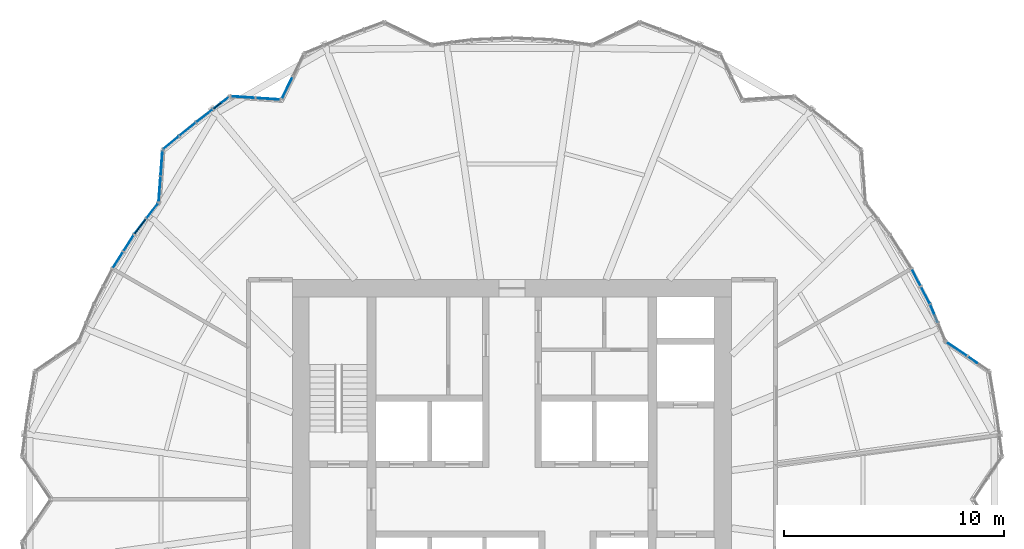
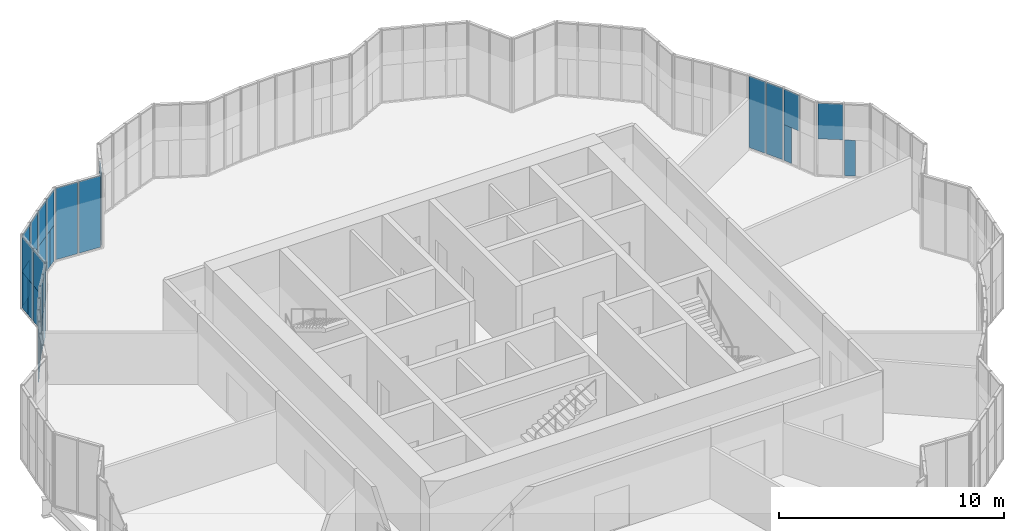
# One storey, part 17 of 22: 30 plates, 10 elements without a shape of their own.
"""IFC4 building model written with IfcOpenShell, lengths in metres."""

from ifc_helpers import new_model, si_unit, direction, frame, origin, origin_2d, place, context, subcontext, project, spatial, rectangle, extrude, material, layer, layer_set, type_object, element, aggregate, save


model = new_model("IFC4")

# Units and contexts
model_context = context("Model", 3, precision=1e-05, world=origin(), true_north=direction((0.0, 1.0)))
body_context = subcontext(model_context, "Body", "Model", "MODEL_VIEW")
ifc_project = project(units=[si_unit("LENGTHUNIT", "METRE"), si_unit("AREAUNIT", "SQUARE_METRE"), si_unit("VOLUMEUNIT", "CUBIC_METRE"), si_unit("PLANEANGLEUNIT", "RADIAN"), si_unit("MASSUNIT", "GRAM", prefix="KILO")], contexts=[model_context])

# Site, building, storey
site_placement = place(None, origin())
site = spatial("IfcSite", under=ifc_project, at=site_placement, CompositionType="ELEMENT")
building_placement = place(site_placement, origin())
building = spatial("IfcBuilding", under=site, at=building_placement, Name="Golbaran Civic Tower", CompositionType="ELEMENT")
storey_placement = place(building_placement, frame((0.0, 0.0, 29.0)))
storey = spatial("IfcBuildingStorey", under=building, at=storey_placement, Name="L06", CompositionType="ELEMENT", Elevation=29.0)

# Curtain wall, plates
ifc_material_1 = material(Name="Aluminium and glass", Category="aluminium")
curtain_wall_type = type_object("IfcCurtainWallType", Name="INNER SKIN CURTAIN WALL", PredefinedType="NOTDEFINED", material=ifc_material_1)
curtain_wall_1_placement = place(storey_placement, origin())
curtain_wall_1 = element("IfcCurtainWall", 1, at=curtain_wall_1_placement, inside=storey, type_object=curtain_wall_type, Name="Inner skin L06 facet 5 CW1", ObjectType="INNER SKIN", PredefinedType="USERDEFINED")
ifc_material_2 = material(Name="Clear insulating glass", Category="glass")
ifc_layer_1 = layer(ifc_material_2, 0.031982421875, Name="Clear insulating glass")
ifc_layer_set_1 = layer_set([ifc_layer_1], Name="Clear insulating glass")
plate_type_1 = type_object("IfcPlateType", Name="INNER SKIN CURTAIN WALL GLAZED PANEL", PredefinedType="CURTAIN_PANEL", material=ifc_layer_set_1)
plate_1_placement = place(storey_placement, frame((19.130126953125, 8.652099609375, 0.06494140625), z_axis=(0.0, 0.0, 1.0), x_axis=(-0.382683432462, 0.923879532471, 0.0)))
plate_1 = element("IfcPlate", 2, at=plate_1_placement, type_object=plate_type_1, Name="CW1 panel 2.1 part 2", PredefinedType="CURTAIN_PANEL", context=body_context, shape_type="SweptSolid", body=[
    extrude(rectangle(XDim=0.422119140625, YDim=0.031982421875, at=origin_2d()), origin(), (0.0, 0.0, 1.0), 1.93505859375),
])
plate_2_placement = place(storey_placement, frame((19.21240234375, 8.453857421875, 2.0), z_axis=(0.0, 0.0, 1.0), x_axis=(-0.382683432462, 0.923879532471, 0.0)))
plate_2 = element("IfcPlate", 3, at=plate_2_placement, type_object=plate_type_1, Name="CW1 panel 2.1 part 3", PredefinedType="CURTAIN_PANEL", context=body_context, shape_type="SweptSolid", body=[
    extrude(rectangle(XDim=0.851318359375, YDim=0.031982421875, at=origin_2d()), origin(), (0.0, 0.0, 1.0), 1.93505859375),
])
aggregate(curtain_wall_1, [plate_1, plate_2])

curtain_wall_2_placement = place(storey_placement, origin())
curtain_wall_2 = element("IfcCurtainWall", 4, at=curtain_wall_2_placement, inside=storey, type_object=curtain_wall_type, Name="Inner skin L06 facet 6 CW1", ObjectType="INNER SKIN", PredefinedType="USERDEFINED")
plate_3_placement = place(storey_placement, frame((18.825439453125, 9.283447265625, 0.06494140625), z_axis=(0.0, 0.0, 1.0), x_axis=(-0.461748613607, 0.887010832985, 0.0)))
plate_3 = element("IfcPlate", 5, at=plate_3_placement, type_object=plate_type_1, Name="CW1 panel 1.1", PredefinedType="CURTAIN_PANEL", context=body_context, shape_type="SweptSolid", body=[
    extrude(rectangle(XDim=0.851318359375, YDim=0.031982421875, at=origin_2d()), origin(), (0.0, 0.0, 1.0), 3.8701171875),
])
plate_4_placement = place(storey_placement, frame((18.40234375, 10.09619140625, 0.06494140625), z_axis=(0.0, 0.0, 1.0), x_axis=(-0.461748613607, 0.887010832985, 0.0)))
plate_4 = element("IfcPlate", 6, at=plate_4_placement, type_object=plate_type_1, Name="CW1 panel 2.1", PredefinedType="CURTAIN_PANEL", context=body_context, shape_type="SweptSolid", body=[
    extrude(rectangle(XDim=0.851318359375, YDim=0.031982421875, at=origin_2d()), origin(), (0.0, 0.0, 1.0), 3.8701171875),
])
aggregate(curtain_wall_2, [plate_3, plate_4])

# Curtain wall, plate
curtain_wall_3_placement = place(storey_placement, origin())
curtain_wall_3 = element("IfcCurtainWall", 7, at=curtain_wall_3_placement, inside=storey, type_object=curtain_wall_type, Name="Inner skin L06 facet 24 CW1", ObjectType="INNER SKIN", PredefinedType="USERDEFINED")
plate_5_placement = place(storey_placement, frame((-10.236083984375, 18.732666015625, 0.06494140625), z_axis=(0.0, 0.0, 1.0), x_axis=(-0.441206843893, -0.897405438418, 0.0)))
plate_5 = element("IfcPlate", 8, at=plate_5_placement, type_object=plate_type_1, Name="CW1 panel 2.1", PredefinedType="CURTAIN_PANEL", context=body_context, shape_type="SweptSolid", body=[
    extrude(rectangle(XDim=1.077392578125, YDim=0.031982421875, at=origin_2d()), origin(), (0.0, 0.0, 1.0), 3.8701171875),
])
aggregate(curtain_wall_3, [plate_5])

# Curtain wall, plates
curtain_wall_4_placement = place(storey_placement, origin())
curtain_wall_4 = element("IfcCurtainWall", 9, at=curtain_wall_4_placement, inside=storey, type_object=curtain_wall_type, Name="Inner skin L06 facet 25 CW1", ObjectType="INNER SKIN", PredefinedType="USERDEFINED")
plate_6_placement = place(storey_placement, frame((-11.104736328125, 18.23095703125, 0.06494140625), z_axis=(0.0, 0.0, 1.0), x_axis=(-0.99777932909, 0.066606384387, 0.0)))
plate_6 = element("IfcPlate", 10, at=plate_6_placement, type_object=plate_type_1, Name="CW1 panel 1.1", PredefinedType="CURTAIN_PANEL", context=body_context, shape_type="SweptSolid", body=[
    extrude(rectangle(XDim=1.077392578125, YDim=0.031982421875, at=origin_2d()), origin(), (0.0, 0.0, 1.0), 3.8701171875),
])
plate_7_placement = place(storey_placement, frame((-12.24462890625, 18.30712890625, 0.06494140625), z_axis=(0.0, 0.0, 1.0), x_axis=(-0.99777932909, 0.066606384387, 0.0)))
plate_7 = element("IfcPlate", 11, at=plate_7_placement, type_object=plate_type_1, Name="CW1 panel 2.1", PredefinedType="CURTAIN_PANEL", context=body_context, shape_type="SweptSolid", body=[
    extrude(rectangle(XDim=1.077392578125, YDim=0.031982421875, at=origin_2d()), origin(), (0.0, 0.0, 1.0), 3.8701171875),
])
aggregate(curtain_wall_4, [plate_6, plate_7])

curtain_wall_5_placement = place(storey_placement, origin())
curtain_wall_5 = element("IfcCurtainWall", 12, at=curtain_wall_5_placement, inside=storey, type_object=curtain_wall_type, Name="Inner skin L06 facet 26 CW1", ObjectType="INNER SKIN", PredefinedType="USERDEFINED")
plate_8_placement = place(storey_placement, frame((-13.074951171875, 18.17236328125, 0.06494140625), z_axis=(0.0, 0.0, 1.0), x_axis=(-0.793353340408, -0.608761428856, 0.0)))
plate_8 = element("IfcPlate", 13, at=plate_8_placement, type_object=plate_type_1, Name="CW1 panel 1.1 part 1", PredefinedType="CURTAIN_PANEL", context=body_context, shape_type="SweptSolid", body=[
    extrude(rectangle(XDim=0.445068359375, YDim=0.031982421875, at=origin_2d()), origin(), (0.0, 0.0, 1.0), 1.93505859375),
])
plate_9_placement = place(storey_placement, frame((-13.247314453125, 18.0400390625, 2.0), z_axis=(0.0, 0.0, 1.0), x_axis=(-0.793353340408, -0.608761428856, 0.0)))
plate_9 = element("IfcPlate", 14, at=plate_9_placement, type_object=plate_type_1, Name="CW1 panel 1.1 part 3", PredefinedType="CURTAIN_PANEL", context=body_context, shape_type="SweptSolid", body=[
    extrude(rectangle(XDim=0.87939453125, YDim=0.031982421875, at=origin_2d()), origin(), (0.0, 0.0, 1.0), 1.93505859375),
])

# Curtain wall, plate
curtain_wall_6_placement = place(storey_placement, origin())
curtain_wall_6 = element("IfcCurtainWall", 15, at=curtain_wall_6_placement, inside=storey, type_object=curtain_wall_type, Name="Inner skin L06 facet 27 CW1", ObjectType="INNER SKIN", PredefinedType="USERDEFINED")
plate_10_placement = place(storey_placement, frame((-15.520263671875, 16.2333984375, 0.06494140625), z_axis=(0.0, 0.0, 1.0), x_axis=(-0.772032452954, -0.63558311147, 0.0)))
plate_10 = element("IfcPlate", 16, at=plate_10_placement, type_object=plate_type_1, Name="CW1 panel 2.1 part 1", PredefinedType="CURTAIN_PANEL", context=body_context, shape_type="SweptSolid", body=[
    extrude(rectangle(XDim=0.883056640625, YDim=0.031982421875, at=origin_2d()), origin(), (0.0, 0.0, 1.0), 1.93505859375),
])

curtain_wall_7_placement = place(storey_placement, origin())
curtain_wall_7 = element("IfcCurtainWall", 17, at=curtain_wall_7_placement, inside=storey, type_object=curtain_wall_type, Name="Inner skin L06 facet 28 CW1", ObjectType="INNER SKIN", PredefinedType="USERDEFINED")
plate_11_placement = place(storey_placement, frame((-15.93896484375, 15.540283203125, 0.06494140625), z_axis=(0.0, 0.0, 1.0), x_axis=(-0.074267065092, -0.997238388272, 0.0)))
plate_11 = element("IfcPlate", 18, at=plate_11_placement, type_object=plate_type_1, Name="CW1 panel 1.1 part 1", PredefinedType="CURTAIN_PANEL", context=body_context, shape_type="SweptSolid", body=[
    extrude(rectangle(XDim=0.614013671875, YDim=0.031982421875, at=origin_2d()), origin(), (0.0, 0.0, 1.0), 1.93505859375),
])

# Curtain wall, plates
curtain_wall_8_placement = place(storey_placement, origin())
curtain_wall_8 = element("IfcCurtainWall", 19, at=curtain_wall_8_placement, inside=storey, type_object=curtain_wall_type, Name="Inner skin L06 facet 29 CW1", ObjectType="INNER SKIN", PredefinedType="USERDEFINED")
plate_12_placement = place(storey_placement, frame((-17.05810546875, 12.2412109375, 0.06494140625), z_axis=(0.0, 0.0, 1.0), x_axis=(-0.60876142905, -0.793353340259, 0.0)))
plate_12 = element("IfcPlate", 20, at=plate_12_placement, type_object=plate_type_1, Name="CW1 panel 2.1 part 2", PredefinedType="CURTAIN_PANEL", context=body_context, shape_type="SweptSolid", body=[
    extrude(rectangle(XDim=0.422119140625, YDim=0.031982421875, at=origin_2d()), origin(), (0.0, 0.0, 1.0), 1.93505859375),
])
plate_13_placement = place(storey_placement, frame((-16.927490234375, 12.411376953125, 2.0), z_axis=(0.0, 0.0, 1.0), x_axis=(-0.60876142905, -0.793353340259, 0.0)))
plate_13 = element("IfcPlate", 21, at=plate_13_placement, type_object=plate_type_1, Name="CW1 panel 2.1 part 3", PredefinedType="CURTAIN_PANEL", context=body_context, shape_type="SweptSolid", body=[
    extrude(rectangle(XDim=0.851318359375, YDim=0.031982421875, at=origin_2d()), origin(), (0.0, 0.0, 1.0), 1.93505859375),
])

curtain_wall_9_placement = place(storey_placement, origin())
curtain_wall_9 = element("IfcCurtainWall", 22, at=curtain_wall_9_placement, inside=storey, type_object=curtain_wall_type, Name="Inner skin L06 facet 30 CW1", ObjectType="INNER SKIN", PredefinedType="USERDEFINED")
plate_14_placement = place(storey_placement, frame((-17.452392578125, 11.66162109375, 0.06494140625), z_axis=(0.0, 0.0, 1.0), x_axis=(-0.537299608155, -0.843391445935, 0.0)))
plate_14 = element("IfcPlate", 23, at=plate_14_placement, type_object=plate_type_1, Name="CW1 panel 1.1", PredefinedType="CURTAIN_PANEL", context=body_context, shape_type="SweptSolid", body=[
    extrude(rectangle(XDim=0.851318359375, YDim=0.031982421875, at=origin_2d()), origin(), (0.0, 0.0, 1.0), 3.8701171875),
])
plate_15_placement = place(storey_placement, frame((-17.94482421875, 10.888916015625, 0.06494140625), z_axis=(0.0, 0.0, 1.0), x_axis=(-0.537299608155, -0.843391445935, 0.0)))
plate_15 = element("IfcPlate", 24, at=plate_15_placement, type_object=plate_type_1, Name="CW1 panel 2.1", PredefinedType="CURTAIN_PANEL", context=body_context, shape_type="SweptSolid", body=[
    extrude(rectangle(XDim=0.851318359375, YDim=0.031982421875, at=origin_2d()), origin(), (0.0, 0.0, 1.0), 3.8701171875),
])
aggregate(curtain_wall_9, [plate_14, plate_15])

curtain_wall_10_placement = place(storey_placement, origin())
curtain_wall_10 = element("IfcCurtainWall", 25, at=curtain_wall_10_placement, inside=storey, type_object=curtain_wall_type, Name="Inner skin L06 facet 4 CW1", ObjectType="INNER SKIN", PredefinedType="USERDEFINED")
ifc_material_3 = material(Name="Aluminium faced opaque infill panel", Category="aluminium")
ifc_layer_2 = layer(ifc_material_3, 0.031982421875, Name="Aluminium faced opaque infill panel")
ifc_layer_set_2 = layer_set([ifc_layer_2], Name="Aluminium faced opaque infill panel")
plate_type_2 = type_object("IfcPlateType", Name="INNER SKIN CURTAIN WALL OPAQUE INFILL PANEL", PredefinedType="CURTAIN_PANEL", material=ifc_layer_set_2)
plate_16_placement = place(storey_placement, frame((20.96875, 6.345947265625, 0.06494140625), z_axis=(0.0, 0.0, 1.0), x_axis=(-0.826500245316, 0.562936359185, 0.0)))
plate_16 = element("IfcPlate", 26, at=plate_16_placement, type_object=plate_type_2, Name="CW1 infill panel 1.1 part 2", PredefinedType="CURTAIN_PANEL", context=body_context, shape_type="SweptSolid", body=[
    extrude(rectangle(XDim=0.49658203125, YDim=0.031982421875, at=origin_2d()), origin(), (0.0, 0.0, 1.0), 1.93505859375),
])
plate_17_placement = place(storey_placement, frame((20.2509765625, 6.8349609375, 2.0), z_axis=(0.0, 0.0, 1.0), x_axis=(-0.826500245316, 0.562936359185, 0.0)))
plate_17 = element("IfcPlate", 27, at=plate_17_placement, type_object=plate_type_2, Name="CW1 infill panel 2.1 part 2", PredefinedType="CURTAIN_PANEL", context=body_context, shape_type="SweptSolid", body=[
    extrude(rectangle(XDim=1.110595703125, YDim=0.031982421875, at=origin_2d()), origin(), (0.0, 0.0, 1.0), 1.93505859375),
])
aggregate(curtain_wall_10, [plate_16, plate_17])

# Plate
plate_18_placement = place(storey_placement, frame((-13.423828125, 17.904541015625, 0.06494140625), z_axis=(0.0, 0.0, 1.0), x_axis=(-0.793353340408, -0.608761428856, 0.0)))
plate_18 = element("IfcPlate", 28, at=plate_18_placement, type_object=plate_type_2, Name="CW1 infill panel 1.1 part 2", PredefinedType="CURTAIN_PANEL", context=body_context, shape_type="SweptSolid", body=[
    extrude(rectangle(XDim=0.4345703125, YDim=0.031982421875, at=origin_2d()), origin(), (0.0, 0.0, 1.0), 1.93505859375),
])

plate_19_placement = place(storey_placement, frame((-14.009521484375, 17.455322265625, 0.06494140625), z_axis=(0.0, 0.0, 1.0), x_axis=(-0.793353340408, -0.608761428856, 0.0)))
plate_19 = element("IfcPlate", 29, at=plate_19_placement, type_object=plate_type_2, Name="CW1 infill panel 2.1 part 1", PredefinedType="CURTAIN_PANEL", context=body_context, shape_type="SweptSolid", body=[
    extrude(rectangle(XDim=0.911865234375, YDim=0.031982421875, at=origin_2d()), origin(), (0.0, 0.0, 1.0), 1.93505859375),
])

plate_20_placement = place(storey_placement, frame((-14.009521484375, 17.455322265625, 2.0), z_axis=(0.0, 0.0, 1.0), x_axis=(-0.793353340408, -0.608761428856, 0.0)))
plate_20 = element("IfcPlate", 30, at=plate_20_placement, type_object=plate_type_2, Name="CW1 infill panel 2.1 part 2", PredefinedType="CURTAIN_PANEL", context=body_context, shape_type="SweptSolid", body=[
    extrude(rectangle(XDim=0.911865234375, YDim=0.031982421875, at=origin_2d()), origin(), (0.0, 0.0, 1.0), 1.93505859375),
])

aggregate(curtain_wall_5, [plate_8, plate_18, plate_9, plate_19, plate_20])

plate_21_placement = place(storey_placement, frame((-14.775634765625, 16.84619140625, 0.06494140625), z_axis=(0.0, 0.0, 1.0), x_axis=(-0.772032452954, -0.63558311147, 0.0)))
plate_21 = element("IfcPlate", 31, at=plate_21_placement, type_object=plate_type_2, Name="CW1 infill panel 1.1 part 1", PredefinedType="CURTAIN_PANEL", context=body_context, shape_type="SweptSolid", body=[
    extrude(rectangle(XDim=0.91552734375, YDim=0.031982421875, at=origin_2d()), origin(), (0.0, 0.0, 1.0), 1.93505859375),
])

plate_22_placement = place(storey_placement, frame((-14.775634765625, 16.84619140625, 2.0), z_axis=(0.0, 0.0, 1.0), x_axis=(-0.772032452954, -0.63558311147, 0.0)))
plate_22 = element("IfcPlate", 32, at=plate_22_placement, type_object=plate_type_2, Name="CW1 infill panel 1.1 part 2", PredefinedType="CURTAIN_PANEL", context=body_context, shape_type="SweptSolid", body=[
    extrude(rectangle(XDim=0.91552734375, YDim=0.031982421875, at=origin_2d()), origin(), (0.0, 0.0, 1.0), 1.93505859375),
])

plate_23_placement = place(storey_placement, frame((-15.520263671875, 16.2333984375, 2.0), z_axis=(0.0, 0.0, 1.0), x_axis=(-0.772032452954, -0.63558311147, 0.0)))
plate_23 = element("IfcPlate", 33, at=plate_23_placement, type_object=plate_type_2, Name="CW1 infill panel 2.1 part 2", PredefinedType="CURTAIN_PANEL", context=body_context, shape_type="SweptSolid", body=[
    extrude(rectangle(XDim=0.883056640625, YDim=0.031982421875, at=origin_2d()), origin(), (0.0, 0.0, 1.0), 1.93505859375),
])

aggregate(curtain_wall_6, [plate_21, plate_22, plate_10, plate_23])

plate_24_placement = place(storey_placement, frame((-15.980224609375, 14.986572265625, 0.06494140625), z_axis=(0.0, 0.0, 1.0), x_axis=(-0.074267065092, -0.997238388272, 0.0)))
plate_24 = element("IfcPlate", 34, at=plate_24_placement, type_object=plate_type_2, Name="CW1 infill panel 1.1 part 2", PredefinedType="CURTAIN_PANEL", context=body_context, shape_type="SweptSolid", body=[
    extrude(rectangle(XDim=0.49658203125, YDim=0.031982421875, at=origin_2d()), origin(), (0.0, 0.0, 1.0), 1.93505859375),
])

plate_25_placement = place(storey_placement, frame((-15.957275390625, 15.292724609375, 2.0), z_axis=(0.0, 0.0, 1.0), x_axis=(-0.074267065092, -0.997238388272, 0.0)))
plate_25 = element("IfcPlate", 35, at=plate_25_placement, type_object=plate_type_2, Name="CW1 infill panel 1.1 part 3", PredefinedType="CURTAIN_PANEL", context=body_context, shape_type="SweptSolid", body=[
    extrude(rectangle(XDim=1.110595703125, YDim=0.031982421875, at=origin_2d()), origin(), (0.0, 0.0, 1.0), 1.93505859375),
])

plate_26_placement = place(storey_placement, frame((-16.044677734375, 14.120361328125, 0.06494140625), z_axis=(0.0, 0.0, 1.0), x_axis=(-0.074267065092, -0.997238388272, 0.0)))
plate_26 = element("IfcPlate", 36, at=plate_26_placement, type_object=plate_type_2, Name="CW1 infill panel 2.1 part 1", PredefinedType="CURTAIN_PANEL", context=body_context, shape_type="SweptSolid", body=[
    extrude(rectangle(XDim=1.110595703125, YDim=0.031982421875, at=origin_2d()), origin(), (0.0, 0.0, 1.0), 1.93505859375),
])

plate_27_placement = place(storey_placement, frame((-16.044677734375, 14.120361328125, 2.0), z_axis=(0.0, 0.0, 1.0), x_axis=(-0.074267065092, -0.997238388272, 0.0)))
plate_27 = element("IfcPlate", 37, at=plate_27_placement, type_object=plate_type_2, Name="CW1 infill panel 2.1 part 2", PredefinedType="CURTAIN_PANEL", context=body_context, shape_type="SweptSolid", body=[
    extrude(rectangle(XDim=1.110595703125, YDim=0.031982421875, at=origin_2d()), origin(), (0.0, 0.0, 1.0), 1.93505859375),
])

aggregate(curtain_wall_7, [plate_11, plate_24, plate_25, plate_26, plate_27])

plate_28_placement = place(storey_placement, frame((-16.379638671875, 13.12548828125, 0.06494140625), z_axis=(0.0, 0.0, 1.0), x_axis=(-0.60876142905, -0.793353340259, 0.0)))
plate_28 = element("IfcPlate", 38, at=plate_28_placement, type_object=plate_type_2, Name="CW1 infill panel 1.1 part 1", PredefinedType="CURTAIN_PANEL", context=body_context, shape_type="SweptSolid", body=[
    extrude(rectangle(XDim=0.818603515625, YDim=0.031982421875, at=origin_2d()), origin(), (0.0, 0.0, 1.0), 1.93505859375),
])

plate_29_placement = place(storey_placement, frame((-16.379638671875, 13.12548828125, 2.0), z_axis=(0.0, 0.0, 1.0), x_axis=(-0.60876142905, -0.793353340259, 0.0)))
plate_29 = element("IfcPlate", 39, at=plate_29_placement, type_object=plate_type_2, Name="CW1 infill panel 1.1 part 2", PredefinedType="CURTAIN_PANEL", context=body_context, shape_type="SweptSolid", body=[
    extrude(rectangle(XDim=0.818603515625, YDim=0.031982421875, at=origin_2d()), origin(), (0.0, 0.0, 1.0), 1.93505859375),
])

plate_30_placement = place(storey_placement, frame((-16.798828125, 12.578857421875, 0.06494140625), z_axis=(0.0, 0.0, 1.0), x_axis=(-0.60876142905, -0.793353340259, 0.0)))
plate_30 = element("IfcPlate", 40, at=plate_30_placement, type_object=plate_type_2, Name="CW1 infill panel 2.1 part 1", PredefinedType="CURTAIN_PANEL", context=body_context, shape_type="SweptSolid", body=[
    extrude(rectangle(XDim=0.428955078125, YDim=0.031982421875, at=origin_2d()), origin(), (0.0, 0.0, 1.0), 1.93505859375),
])

aggregate(curtain_wall_8, [plate_28, plate_29, plate_30, plate_12, plate_13])

save(model, "model.ifc")
